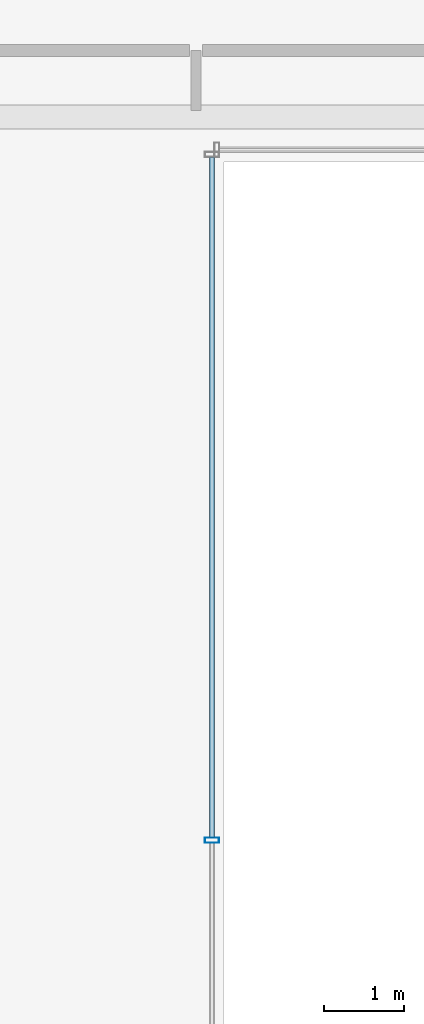
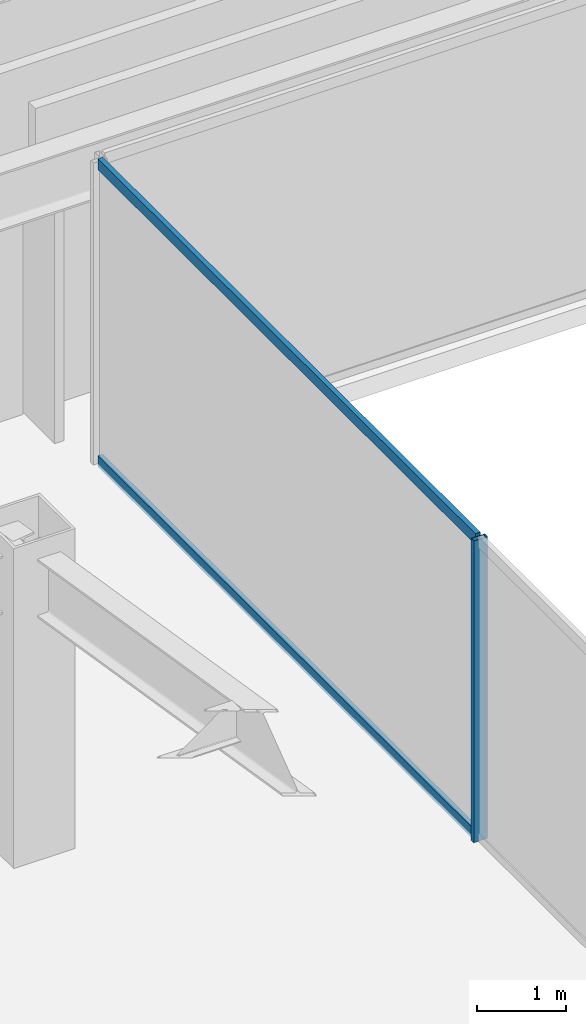
# One storey, part 14 of 47: 3 members, 1 element without a shape of its own.
"""IFC4 building model written with IfcOpenShell, lengths in metres."""

from ifc_helpers import new_model, si_unit, direction, frame, origin, origin_2d, place, context, subcontext, project, spatial, hollow_rectangle, extrude, material, material_profile, profile_set, type_object, element, aggregate, save


model = new_model("IFC4")

# Units and contexts
model_context = context("Model", 3, precision=1e-05, world=origin(), true_north=direction((0.0, 1.0)))
body_context = subcontext(model_context, "Body", "Model", "MODEL_VIEW")
ifc_project = project(units=[si_unit("LENGTHUNIT", "METRE"), si_unit("AREAUNIT", "SQUARE_METRE"), si_unit("VOLUMEUNIT", "CUBIC_METRE"), si_unit("PLANEANGLEUNIT", "RADIAN"), si_unit("MASSUNIT", "GRAM", prefix="KILO")], contexts=[model_context])

# Site, building, storey
site_placement = place(None, origin())
site = spatial("IfcSite", under=ifc_project, at=site_placement, CompositionType="ELEMENT")
building_placement = place(site_placement, origin())
building = spatial("IfcBuilding", under=site, at=building_placement, Name="Saevonmaru Cultural Tower", CompositionType="ELEMENT")
storey_placement = place(building_placement, frame((0.0, 0.0, 56.0)))
storey = spatial("IfcBuildingStorey", under=building, at=storey_placement, Name="L11", CompositionType="ELEMENT", Elevation=56.0)

# Curtain wall, members
ifc_material = material(Name="Satin Bronze Anodised Aluminium", Category="aluminium")
curtain_wall_type = type_object("IfcCurtainWallType", Name="CW-ATR-GLZ", PredefinedType="NOTDEFINED", material=ifc_material)
curtain_wall_placement = place(storey_placement, origin())
curtain_wall = element("IfcCurtainWall", 1, at=curtain_wall_placement, inside=storey, type_object=curtain_wall_type, Name="L11 Vertical Atrium Glazed Smoke Screen 4", PredefinedType="NOTDEFINED")
ifc_material_profile_1 = material_profile(ifc_material, hollow_rectangle(XDim=0.06494140625, YDim=0.179931640625, WallThickness=0.00390625, at=origin_2d()), Name="ALU-MULL-180x65x4")
ifc_profile_set_1 = profile_set([ifc_material_profile_1], Name="Satin Bronze Anodised Aluminium")
member_type_1 = type_object("IfcMemberType", Name="ML-CW-INT-180x65", PredefinedType="MULLION", material=ifc_profile_set_1)
member_1_placement = place(storey_placement, frame((24.050048828125, 29.47998046875, 0.0), z_axis=(0.0, 0.0, 1.0), x_axis=(0.0, -1.0, 0.0)))
member_1 = element("IfcMember", 2, at=member_1_placement, type_object=member_type_1, Name="CW-ATR-L11-4 mullion 2", PredefinedType="MULLION", context=body_context, shape_type="SweptSolid", body=[
    extrude(hollow_rectangle(XDim=0.06494140625, YDim=0.179931640625, WallThickness=0.00390625, at=origin_2d()), origin(), (0.0, 0.0, 1.0), 4.14990234375),
])
ifc_material_profile_2 = material_profile(ifc_material, hollow_rectangle(XDim=0.06494140625, YDim=0.14990234375, WallThickness=0.00390625, at=origin_2d()), Name="ALU-TRAN-150x65x4")
ifc_profile_set_2 = profile_set([ifc_material_profile_2], Name="Satin Bronze Anodised Aluminium")
member_type_2 = type_object("IfcMemberType", Name="TR-CW-INT-150x65", PredefinedType="USERDEFINED", material=ifc_profile_set_2)
member_2_placement = place(storey_placement, frame((24.050048828125, 38.017578125, 0.032470703125), z_axis=(0.0, -1.0, 0.0), x_axis=(1.0, 0.0, 0.0)))
member_2 = element("IfcMember", 3, at=member_2_placement, type_object=member_type_2, Name="CW-ATR-L11-4 transom 1.1", ObjectType="TRANSOM", PredefinedType="USERDEFINED", context=body_context, shape_type="SweptSolid", body=[
    extrude(hollow_rectangle(XDim=0.06494140625, YDim=0.14990234375, WallThickness=0.00390625, at=origin_2d()), origin(), (0.0, 0.0, 1.0), 8.505126953125),
])
member_3_placement = place(storey_placement, frame((24.050048828125, 38.017578125, 4.117431640625), z_axis=(0.0, -1.0, 0.0), x_axis=(1.0, 0.0, 0.0)))
member_3 = element("IfcMember", 4, at=member_3_placement, type_object=member_type_2, Name="CW-ATR-L11-4 transom 1.2", ObjectType="TRANSOM", PredefinedType="USERDEFINED", context=body_context, shape_type="SweptSolid", body=[
    extrude(hollow_rectangle(XDim=0.06494140625, YDim=0.14990234375, WallThickness=0.00390625, at=origin_2d()), origin(), (0.0, 0.0, 1.0), 8.505126953125),
])
aggregate(curtain_wall, [member_1, member_2, member_3])

save(model, "model.ifc")
